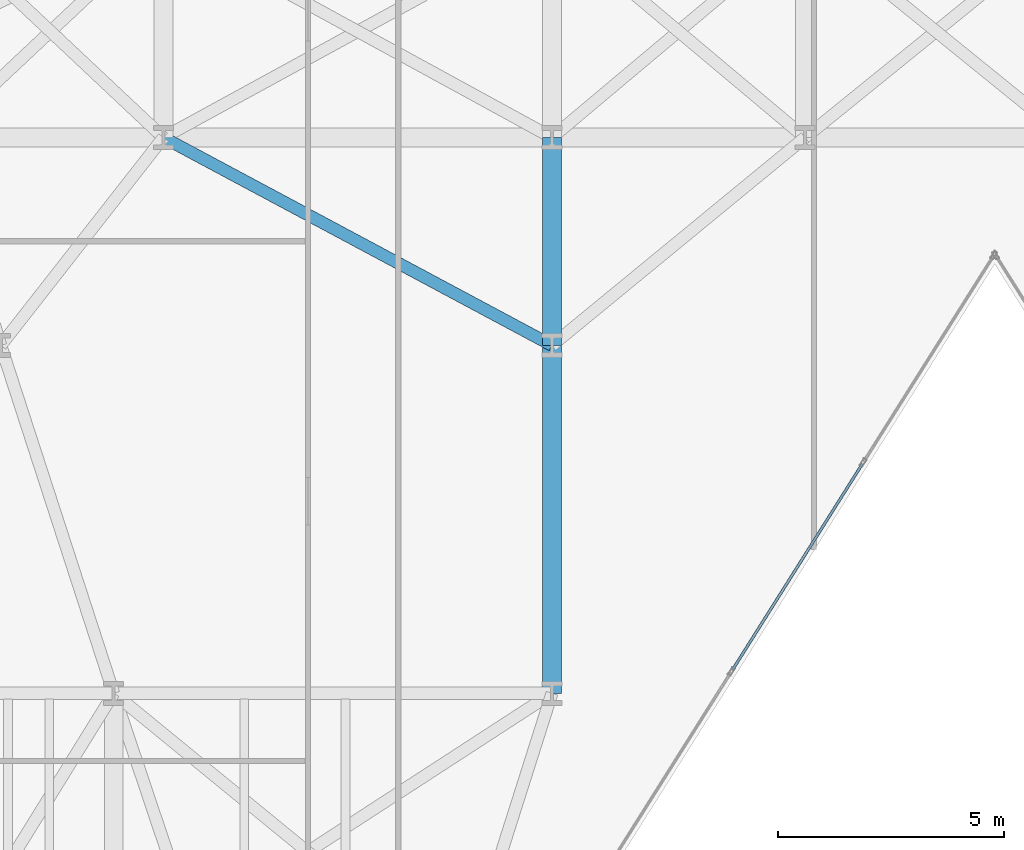
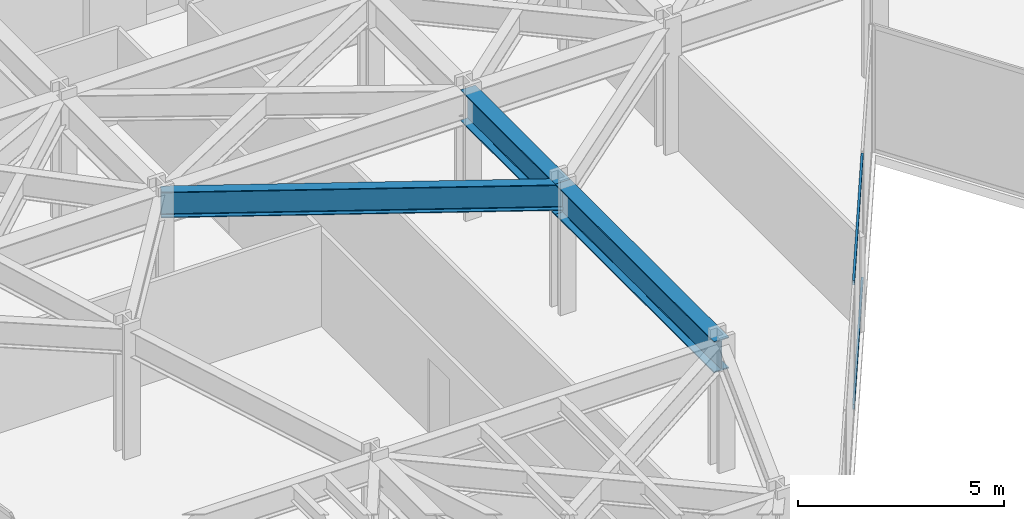
# One storey, part 9 of 24: 3 beams, 2 members, 1 element without a shape of its own.
"""IFC4 building model written with IfcOpenShell, lengths in metres."""

import ifcopenshell
import ifcopenshell.guid

model = None  # the IFC model being written
_history = None  # IfcOwnerHistory: only IFC2X3 demands one
_inside = {}  # id of a spatial element -> (the spatial element, [elements in it])
_under = {}  # id of a project, library or spatial element -> (it, [spatial elements below it])
_declared = {}  # id of a project -> (the project, [libraries it declares])
_typed = {}  # id of a type object -> (the type object, [elements of that type])
_made_of = {}  # id of a material, layer set ... -> (it, [elements and type objects made of it])


def new_model(schema):
    """Start an empty IFC model of exactly this schema.

    Asked for "IFC4X3", IfcOpenShell would pick the latest addendum, in which some entities
    have other attributes; the version numbers below select the first issue.
    IFC2X3 requires an IfcOwnerHistory on every rooted entity: one is made here for all.
    """
    global model, _history
    if schema == "IFC4X3":
        model = ifcopenshell.file(schema_version=(4, 3, 0, 0))
    else:
        model = ifcopenshell.file(schema=schema)
    _inside.clear()
    _under.clear()
    _declared.clear()
    _typed.clear()
    _made_of.clear()
    _history = None
    if model.schema == "IFC2X3":
        org = make("IfcOrganization", Name="unknown")
        user = make(
            "IfcPersonAndOrganization",
            ThePerson=make("IfcPerson", FamilyName="unknown"),
            TheOrganization=org,
        )
        app = make(
            "IfcApplication",
            ApplicationDeveloper=org,
            Version="unknown",
            ApplicationFullName="unknown",
            ApplicationIdentifier="unknown",
        )
        _history = make(
            "IfcOwnerHistory",
            OwningUser=user,
            OwningApplication=app,
            ChangeAction="ADDED",
            CreationDate=0,
        )
    return model


def make(cls, **values):
    """One entity of the class cls with the attributes given. An attribute that is None is left unset."""
    return model.create_entity(
        cls, **{name: value for name, value in values.items() if value is not None}
    )


def rooted(cls, **values):
    """An entity with a GlobalId (a new one), such as an element, a storey or a relation."""
    return make(cls, GlobalId=ifcopenshell.guid.new(), OwnerHistory=_history, **values)


def si_unit(unit_type, name, prefix=None):
    """IfcSIUnit, for example si_unit("LENGTHUNIT", "METRE", prefix="MILLI")."""
    return make("IfcSIUnit", UnitType=unit_type, Prefix=prefix, Name=name)


def assignment(units):
    """IfcUnitAssignment: the units of a project."""
    return None if units is None else make("IfcUnitAssignment", Units=units)


def point(xyz):
    """IfcCartesianPoint."""
    return None if xyz is None else make("IfcCartesianPoint", Coordinates=xyz)


def direction(xyz):
    """IfcDirection."""
    return None if xyz is None else make("IfcDirection", DirectionRatios=xyz)


def frame(location, z_axis=None, x_axis=None):
    """IfcAxis2Placement3D, a coordinate frame: its origin and axes. An axis left out is left unset."""
    return make(
        "IfcAxis2Placement3D",
        Location=point(location),
        Axis=direction(z_axis),
        RefDirection=direction(x_axis),
    )


def frame_2d(location, x_axis=None):
    """IfcAxis2Placement2D, a coordinate frame in the plane: its origin and x axis."""
    return make(
        "IfcAxis2Placement2D", Location=point(location), RefDirection=direction(x_axis)
    )


def origin():
    """The frame at (0, 0, 0) with its axes left unset."""
    return frame((0.0, 0.0, 0.0))


def origin_2d():
    """The frame at (0, 0) in the plane with its x axis left unset."""
    return frame_2d((0.0, 0.0))


def place(relative_to, where):
    """IfcLocalPlacement: puts the frame where relative to a parent placement (None: the world)."""
    return make(
        "IfcLocalPlacement", PlacementRelTo=relative_to, RelativePlacement=where
    )


def context(
    kind, dimensions, precision=None, world=None, true_north=None, identifier=None
):
    """IfcGeometricRepresentationContext, for example the 3D "Model" context."""
    return make(
        "IfcGeometricRepresentationContext",
        ContextIdentifier=identifier,
        ContextType=kind,
        CoordinateSpaceDimension=dimensions,
        Precision=precision,
        WorldCoordinateSystem=world,
        TrueNorth=true_north,
    )


def subcontext(parent, identifier, kind, view, scale=None):
    """IfcGeometricRepresentationSubContext, for example "Body" below "Model"."""
    return make(
        "IfcGeometricRepresentationSubContext",
        ContextIdentifier=identifier,
        ContextType=kind,
        ParentContext=parent,
        TargetScale=scale,
        TargetView=view,
    )


def project(units=None, contexts=None):
    """IfcProject with its units and contexts."""
    return rooted(
        "IfcProject",
        Name="project",
        RepresentationContexts=contexts,
        UnitsInContext=assignment(units),
    )


def spatial(cls, under=None, at=None, **own):
    """A site, building, storey or space (cls), placed at a placement, below another one or the project."""
    s = rooted(cls, ObjectPlacement=at, **own)
    if under is not None:
        _under.setdefault(under.id(), (under, []))[1].append(s)
    return s


def profile(cls, at=None, kind="AREA", **sizes):
    """A parametric profile (cls). Its sizes go by their IFC names, for example OverallWidth=200.0."""
    return make(cls, ProfileType=kind, Position=at, **sizes)


def hollow_rectangle(**sizes):
    """IfcRectangleHollowProfileDef."""
    return profile("IfcRectangleHollowProfileDef", **sizes)


def i_section(**sizes):
    """IfcIShapeProfileDef."""
    return profile("IfcIShapeProfileDef", **sizes)


def extrude(swept, where, along, depth):
    """IfcExtrudedAreaSolid: the profile swept, set in the frame where, extruded along a direction by depth."""
    return make(
        "IfcExtrudedAreaSolid",
        SweptArea=swept,
        Position=where,
        ExtrudedDirection=direction(along),
        Depth=depth,
    )


def shape(context_of_items, identifier, shape_type, items):
    """IfcShapeRepresentation: the items that make up one representation, for example the "Body"."""
    return make(
        "IfcShapeRepresentation",
        ContextOfItems=context_of_items,
        RepresentationIdentifier=identifier,
        RepresentationType=shape_type,
        Items=items,
    )


def material(Name=None, Category=None):
    """IfcMaterial."""
    return make("IfcMaterial", Name=Name, Category=Category)


def layer(
    of_material, thickness, ventilated=None, Name=None, Category=None, Priority=None
):
    """IfcMaterialLayer: one layer of a wall or slab, of a material (None: an air gap)."""
    return make(
        "IfcMaterialLayer",
        Material=of_material,
        LayerThickness=thickness,
        IsVentilated=ventilated,
        Name=Name,
        Category=Category,
        Priority=Priority,
    )


def layer_set(layers, Name=None):
    """IfcMaterialLayerSet."""
    return make("IfcMaterialLayerSet", MaterialLayers=layers, LayerSetName=Name)


def material_profile(
    of_material, cross_section, Name=None, Category=None, Priority=None
):
    """IfcMaterialProfile: a cross section and its material."""
    return make(
        "IfcMaterialProfile",
        Name=Name,
        Material=of_material,
        Profile=cross_section,
        Priority=Priority,
        Category=Category,
    )


def profile_set(profiles, Name=None, composite=None):
    """IfcMaterialProfileSet."""
    return make(
        "IfcMaterialProfileSet",
        Name=Name,
        MaterialProfiles=profiles,
        CompositeProfile=composite,
    )


def made_of(thing, what):
    """Note that an element or type object is made of a material, layer set ...; save() writes the relation."""
    if what is not None:
        _made_of.setdefault(what.id(), (what, []))[1].append(thing)
    return thing


def type_object(cls, material=None, **own):
    """A type object (cls), such as IfcWallType, which elements share."""
    return made_of(rooted(cls, **own), material)


def element(
    cls,
    number,
    at=None,
    inside=None,
    cuts=None,
    type_object=None,
    material=None,
    context=None,
    identifier="Body",
    shape_type=None,
    held_by="IfcProductDefinitionShape",
    body=None,
    shapes=None,
    **own,
):
    """One element of the class cls, such as IfcWall. Its Tag is "e" and its number.

    at: its placement. inside: the storey or other place that contains it. cuts: it is an
    opening in that element (IfcRelVoidsElement). A single representation is given by context,
    identifier, shape_type and body (its items); several are given by shapes. held_by: the class
    of the entity that holds the representations. save() writes the other relations.
    """
    e = rooted(cls, Tag="e%d" % number, ObjectPlacement=at, **own)
    if body is not None:
        shapes = [shape(context, identifier, shape_type, body)]
    if shapes is not None:
        e.Representation = make(held_by, Representations=shapes)
    if inside is not None:
        _inside.setdefault(inside.id(), (inside, []))[1].append(e)
    if cuts is not None:
        rooted(
            "IfcRelVoidsElement", RelatingBuildingElement=cuts, RelatedOpeningElement=e
        )
    if type_object is not None:
        _typed.setdefault(type_object.id(), (type_object, []))[1].append(e)
    return made_of(e, material)


def aggregate(whole, parts):
    """IfcRelAggregates: a whole, such as a stair, and the parts it consists of."""
    return rooted("IfcRelAggregates", RelatingObject=whole, RelatedObjects=parts)


def save(model, path):
    """Write the relations noted so far, then the file.

    IfcRelAggregates (storeys below a building ...), IfcRelContainedInSpatialStructure (elements
    in a storey), IfcRelDefinesByType, IfcRelAssociatesMaterial and IfcRelDeclares: one each for
    every whole, place, type object, material and project.
    """
    for whole, parts in _under.values():
        aggregate(whole, parts)
    for where, things in _inside.values():
        rooted(
            "IfcRelContainedInSpatialStructure",
            RelatedElements=things,
            RelatingStructure=where,
        )
    for kind, things in _typed.values():
        rooted("IfcRelDefinesByType", RelatedObjects=things, RelatingType=kind)
    for what, things in _made_of.values():
        rooted("IfcRelAssociatesMaterial", RelatedObjects=things, RelatingMaterial=what)
    for by, libraries in _declared.values():
        rooted("IfcRelDeclares", RelatingContext=by, RelatedDefinitions=libraries)
    model.write(path)


model = new_model("IFC4")

# Units and contexts
model_context = context("Model", 3, precision=1e-05, world=origin(), true_north=direction((0.0, 1.0)))
body_context = subcontext(model_context, "Body", "Model", "MODEL_VIEW")
ifc_project = project(units=[si_unit("LENGTHUNIT", "METRE"), si_unit("AREAUNIT", "SQUARE_METRE"), si_unit("VOLUMEUNIT", "CUBIC_METRE"), si_unit("PLANEANGLEUNIT", "RADIAN"), si_unit("MASSUNIT", "GRAM", prefix="KILO")], contexts=[model_context])

# Site, building, storey
site_placement = place(None, origin())
site = spatial("IfcSite", under=ifc_project, at=site_placement, CompositionType="ELEMENT")
building_placement = place(site_placement, origin())
building = spatial("IfcBuilding", under=site, at=building_placement, Name="Kravanh Interchange Tower", CompositionType="ELEMENT")
storey_placement = place(building_placement, frame((0.0, 0.0, 37.5)))
storey = spatial("IfcBuildingStorey", under=building, at=storey_placement, Name="L08", CompositionType="ELEMENT", Elevation=37.5)

# Curtain wall, members
ifc_material_1 = material(Name="Anodised Bronze Aluminium", Category="aluminium")
ifc_layer = layer(ifc_material_1, 0.179931640625)
ifc_layer_set = layer_set([ifc_layer], Name="Unitised Curtain Wall System CW-Z1 Lower Office")
curtain_wall_type = type_object("IfcCurtainWallType", Name="Unitised Curtain Wall System CW-Z1 Lower Office", PredefinedType="NOTDEFINED", material=ifc_layer_set)
curtain_wall_placement = place(storey_placement, origin())
curtain_wall = element("IfcCurtainWall", 1, at=curtain_wall_placement, inside=storey, type_object=curtain_wall_type, Name="L08 Unitised Curtain Wall CW-L08-05", PredefinedType="NOTDEFINED")
ifc_material_2 = material(Name="Anodised Bronze Aluminium", Category="aluminium")
ifc_material_profile_1 = material_profile(ifc_material_2, hollow_rectangle(XDim=0.06005859375, YDim=0.139892578125, WallThickness=0.00390625, at=origin_2d()), Name="ALU60X140X4")
ifc_profile_set_1 = profile_set([ifc_material_profile_1], Name="Anodised Bronze Aluminium")
member_type = type_object("IfcMemberType", Name="Curtain Wall Transom ALU60X140X4 Bronze", PredefinedType="USERDEFINED", material=ifc_profile_set_1)
member_1_placement = place(storey_placement, frame((34.068115234375, 19.574462890625, 0.030029296875), z_axis=(-0.533311487456, -0.84591894254, 0.0), x_axis=(0.84591894254, -0.533311487456, 0.0)))
member_1 = element("IfcMember", 2, at=member_1_placement, type_object=member_type, Name="CW-Z1 transom 2.1", ObjectType="TRANSOM", PredefinedType="USERDEFINED", context=body_context, shape_type="SweptSolid", body=[
    extrude(hollow_rectangle(XDim=0.06005859375, YDim=0.139892578125, WallThickness=0.00390625, at=origin_2d()), origin(), (0.0, 0.0, 1.0), 5.392578125),
])
member_2_placement = place(storey_placement, frame((34.068115234375, 19.574462890625, 3.7099609375), z_axis=(-0.533311487456, -0.84591894254, 0.0), x_axis=(0.84591894254, -0.533311487456, 0.0)))
member_2 = element("IfcMember", 3, at=member_2_placement, type_object=member_type, Name="CW-Z1 transom 2.2", ObjectType="TRANSOM", PredefinedType="USERDEFINED", context=body_context, shape_type="SweptSolid", body=[
    extrude(hollow_rectangle(XDim=0.06005859375, YDim=0.139892578125, WallThickness=0.00390625, at=origin_2d()), origin(), (0.0, 0.0, 1.0), 5.392578125),
])
aggregate(curtain_wall, [member_1, member_2])

# Beams
ifc_material_3 = material(Name="Structural Steel S355", Category="steel")
ifc_material_profile_2 = material_profile(ifc_material_3, i_section(OverallWidth=0.41796875, OverallDepth=0.927001953125, WebThickness=0.019287109375, FlangeThickness=0.031982421875, FilletRadius=0.028076171875, at=origin_2d()), Name="W36X231")
ifc_profile_set_2 = profile_set([ifc_material_profile_2], Name="Structural Steel S355")
beam_type_1 = type_object("IfcBeamType", Name="Floor Beam W36X231 Structural Steel S355", PredefinedType="BEAM", material=ifc_profile_set_2)
beam_1_placement = place(storey_placement, frame((27.199951171875, 22.199951171875, 3.276611328125), z_axis=(0.0, 1.0, 0.0), x_axis=(-1.0, 0.0, 0.0)))
element("IfcBeam", 4, at=beam_1_placement, inside=storey, type_object=beam_type_1, Name="L08 Primary Floor Girder 54", PredefinedType="BEAM", context=body_context, shape_type="SweptSolid", body=[
    extrude(i_section(OverallWidth=0.41796875, OverallDepth=0.927001953125, WebThickness=0.019287109375, FlangeThickness=0.031982421875, FilletRadius=0.028076171875, at=origin_2d()), origin(), (0.0, 0.0, 1.0), 4.60009765625),
])
beam_2_placement = place(storey_placement, frame((27.199951171875, 22.199951171875, 3.276611328125), z_axis=(0.0, -1.0, 0.0), x_axis=(1.0, 0.0, 0.0)))
element("IfcBeam", 5, at=beam_2_placement, inside=storey, type_object=beam_type_1, Name="L08 Primary Floor Girder 56", PredefinedType="BEAM", context=body_context, shape_type="SweptSolid", body=[
    extrude(i_section(OverallWidth=0.41796875, OverallDepth=0.927001953125, WebThickness=0.019287109375, FlangeThickness=0.031982421875, FilletRadius=0.028076171875, at=origin_2d()), origin(), (0.0, 0.0, 1.0), 7.699951171875),
])
ifc_material_4 = material(Name="Structural Steel S355", Category="steel")
ifc_material_profile_3 = material_profile(ifc_material_4, i_section(OverallWidth=0.26708984375, OverallDepth=0.761962890625, WebThickness=0.014404296875, FlangeThickness=0.021484375, FilletRadius=0.02490234375, at=origin_2d()), Name="W30X116")
ifc_profile_set_3 = profile_set([ifc_material_profile_3], Name="Structural Steel S355")
beam_type_2 = type_object("IfcBeamType", Name="Floor Spandrel W30X116 Structural Steel S355", PredefinedType="SPANDREL", material=ifc_profile_set_3)
beam_3_placement = place(storey_placement, frame((27.199951171875, 22.199951171875, 3.35888671875), z_axis=(-0.881777136221, 0.471666282489, 0.0), x_axis=(-0.471666282489, -0.881777136221, 0.0)))
element("IfcBeam", 6, at=beam_3_placement, inside=storey, type_object=beam_type_2, Name="L08 Perimeter Spandrel 57", PredefinedType="SPANDREL", context=body_context, shape_type="SweptSolid", body=[
    extrude(i_section(OverallWidth=0.26708984375, OverallDepth=0.761962890625, WebThickness=0.014404296875, FlangeThickness=0.021484375, FilletRadius=0.02490234375, at=origin_2d()), origin(), (0.0, 0.0, 1.0), 9.7529296875),
])

save(model, "model.ifc")
